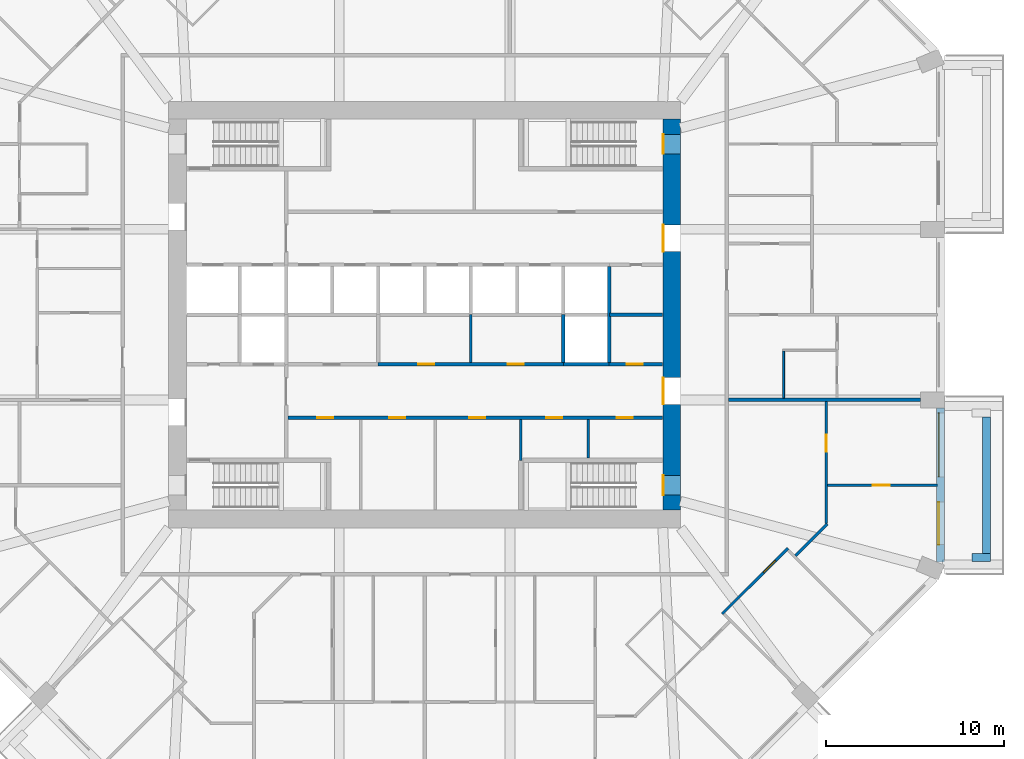
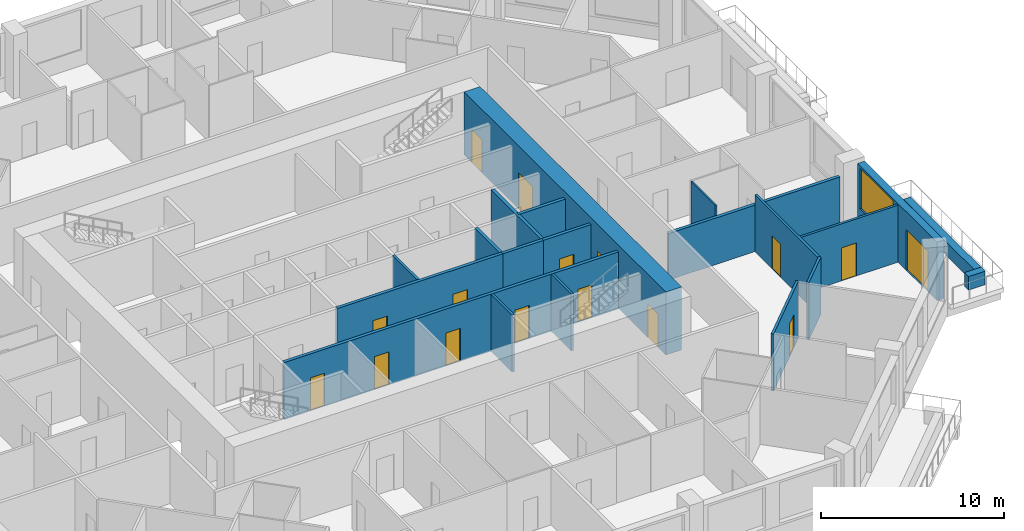
# One storey, part 6 of 13: 20 walls, 16 doors, 1 window, 17 openings.
"""IFC4 building model written with IfcOpenShell, lengths in metres."""

from ifc_helpers import new_model, si_unit, direction, frame, frame_2d, origin, place, context, subcontext, project, spatial, rectangle, extrude, material, layer, layer_set, type_object, element, fill, save


model = new_model("IFC4")

# Units and contexts
model_context = context("Model", 3, precision=1e-05, world=origin(), true_north=direction((0.0, 1.0)))
body_context = subcontext(model_context, "Body", "Model", "MODEL_VIEW")
ifc_project = project(units=[si_unit("LENGTHUNIT", "METRE"), si_unit("AREAUNIT", "SQUARE_METRE"), si_unit("VOLUMEUNIT", "CUBIC_METRE"), si_unit("PLANEANGLEUNIT", "RADIAN"), si_unit("MASSUNIT", "GRAM", prefix="KILO")], contexts=[model_context])

# Site, building, storey
site_placement = place(None, origin())
site = spatial("IfcSite", under=ifc_project, at=site_placement, CompositionType="ELEMENT")
building_placement = place(site_placement, origin())
building = spatial("IfcBuilding", under=site, at=building_placement, Name="Msitu Wima Residences", CompositionType="ELEMENT")
storey_placement = place(building_placement, frame((0.0, 0.0, 96.89990234375)))
storey = spatial("IfcBuildingStorey", under=building, at=storey_placement, Name="L22", CompositionType="ELEMENT", Elevation=96.89990234375)

# Walls
ifc_material_1 = material(Name="Facing brick")
ifc_layer_1 = layer(ifc_material_1, 0.06494140625, Name="Facing brick")
ifc_material_2 = material(Name="Concrete C40/50", Category="concrete")
ifc_layer_2 = layer(ifc_material_2, 0.156005859375, Name="Concrete C40/50")
ifc_material_3 = material(Name="Waterproofing membrane")
ifc_layer_3 = layer(ifc_material_3, 0.00390625, Name="Waterproofing membrane")
ifc_material_4 = material(Name="Planting soil and planting")
ifc_layer_4 = layer(ifc_material_4, 0.22509765625, Name="Planting soil and planting")
ifc_layer_set_1 = layer_set([ifc_layer_1, ifc_layer_2, ifc_layer_3, ifc_layer_4], Name="Concrete C40/50")
wall_type_1 = type_object("IfcWallType", Name="Balcony planter PLANTER PL450", PredefinedType="USERDEFINED", material=ifc_layer_set_1)
wall_1_placement = place(storey_placement, frame((31.625, -13.449951171875, 0.0), z_axis=(0.0, 0.0, 1.0), x_axis=(0.0, 1.0, 0.0)))
element("IfcWall", 1, at=wall_1_placement, inside=storey, type_object=wall_type_1, Name="Balcony planter E0 L22", ObjectType="PLANTER", PredefinedType="USERDEFINED", context=body_context, shape_type="SweptSolid", body=[
    extrude(rectangle(XDim=7.699951171875, YDim=0.449951171875, at=frame_2d((3.85009765625, 0.0))), origin(), (0.0, 0.0, 1.0), 0.900146484375),
])
wall_2_placement = place(storey_placement, frame((30.800048828125, -13.675048828125, 0.0), z_axis=(0.0, 0.0, 1.0), x_axis=(1.0, 0.0, 0.0)))
element("IfcWall", 2, at=wall_2_placement, inside=storey, type_object=wall_type_1, Name="Balcony planter E0 L22", ObjectType="PLANTER", PredefinedType="USERDEFINED", context=body_context, shape_type="SweptSolid", body=[
    extrude(rectangle(XDim=1.050048828125, YDim=0.449951171875, at=frame_2d((0.52490234375, 0.0))), origin(), (0.0, 0.0, 1.0), 0.900146484375),
])

# Wall, openings, door, window
ifc_material_5 = material(Name="Brick (red buff mix)", Category="masonry")
ifc_layer_5 = layer(ifc_material_5, 0.449951171875)
ifc_layer_set_2 = layer_set([ifc_layer_5], Name="Brick (red buff mix)")
wall_type_2 = type_object("IfcWallType", Name="Brick infill wall BW450", PredefinedType="SOLIDWALL", material=ifc_layer_set_2)
wall_3_placement = place(storey_placement, frame((29.02490234375, -13.912841796875, 0.0), z_axis=(0.0, 0.0, 1.0), x_axis=(0.0, 1.0, 0.0)))
wall_3 = element("IfcWall", 3, at=wall_3_placement, inside=storey, type_object=wall_type_2, Name="Brick infill wall L22 E0", PredefinedType="SOLIDWALL", context=body_context, shape_type="SweptSolid", body=[
    extrude(rectangle(XDim=8.662841796875, YDim=0.449951171875, at=frame_2d((4.33154296875, 0.0))), origin(), (0.0, 0.0, 1.0), 3.900146484375),
])
opening_1_placement = place(wall_3_placement, frame((0.9658203125, 0.0, 0.0)))
opening_1 = element("IfcOpeningElement", 4, at=opening_1_placement, cuts=wall_3, Name="Opening D22.001", PredefinedType="OPENING", context=body_context, shape_type="SweptSolid", body=[
    extrude(rectangle(XDim=2.39990234375, YDim=2.699951171875, at=frame_2d((1.199951171875, 1.35009765625))), frame((0.0, 0.23486328125, 0.0), z_axis=(0.0, -1.0, 0.0), x_axis=(1.0, 0.0, 0.0)), (0.0, 0.0, 1.0), 0.469970703125),
])
opening_2_placement = place(wall_3_placement, frame((4.781494140625, 0.0, 1.050048828125)))
opening_2 = element("IfcOpeningElement", 5, at=opening_2_placement, cuts=wall_3, Name="Opening W22.001", PredefinedType="OPENING", context=body_context, shape_type="SweptSolid", body=[
    extrude(rectangle(XDim=3.60009765625, YDim=2.699951171875, at=frame_2d((1.800048828125, 1.35009765625))), frame((0.0, 0.23486328125, 0.0), z_axis=(0.0, -1.0, 0.0), x_axis=(1.0, 0.0, 0.0)), (0.0, 0.0, 1.0), 0.469970703125),
])
ifc_material_6 = material(Name="Anodised aluminium, bronze finish, clear low-emissivity double glazing", Category="aluminium")
door_type_1 = type_object("IfcDoorType", Name="Balcony door D2400x2700", OperationType="SLIDING_TO_LEFT", PredefinedType="DOOR", material=ifc_material_6)
door_1_placement = place(opening_1_placement, origin())
door_1 = element("IfcDoor", 6, at=door_1_placement, inside=storey, type_object=door_type_1, Name="Balcony door L22 E0", OperationType="SINGLE_SWING_LEFT", OverallHeight=2.699951171875, OverallWidth=2.39990234375, PredefinedType="DOOR", context=body_context, shape_type="SweptSolid", body=[
    extrude(rectangle(XDim=2.39990234375, YDim=2.699951171875, at=frame_2d((1.199951171875, 1.35009765625))), frame((0.0, 0.1298828125, 0.0), z_axis=(0.0, -1.0, 0.0), x_axis=(1.0, 0.0, 0.0)), (0.0, 0.0, 1.0), 0.050048828125),
])
fill(opening_1, door_1)
window_type = type_object("IfcWindowType", Name="Window W3600x2700", PartitioningType="DOUBLE_PANEL_VERTICAL", PredefinedType="WINDOW", material=ifc_material_6)
window_placement = place(opening_2_placement, origin())
window = element("IfcWindow", 7, at=window_placement, inside=storey, type_object=window_type, Name="Window L22 E0.2", OverallHeight=2.699951171875, OverallWidth=3.60009765625, PartitioningType="SINGLE_PANEL", PredefinedType="WINDOW", context=body_context, shape_type="SweptSolid", body=[
    extrude(rectangle(XDim=3.60009765625, YDim=2.699951171875, at=frame_2d((1.800048828125, 1.35009765625))), frame((0.0, 0.135009765625, 0.0), z_axis=(0.0, -1.0, 0.0), x_axis=(1.0, 0.0, 0.0)), (0.0, 0.0, 1.0), 0.06005859375),
])
fill(opening_2, window)

# Wall, openings, doors
ifc_material_7 = material(Name="Concrete C80/95", Category="concrete")
ifc_layer_6 = layer(ifc_material_7, 1.0)
ifc_layer_set_3 = layer_set([ifc_layer_6], Name="Concrete C80/95")
wall_type_3 = type_object("IfcWallType", Name="Core wall CW1000 C80/95", PredefinedType="SHEAR", material=ifc_layer_set_3)
wall_4_placement = place(storey_placement, frame((13.89990234375, -11.0, 0.0), z_axis=(0.0, 0.0, 1.0), x_axis=(0.0, 1.0, 0.0)))
wall_4 = element("IfcWall", 8, at=wall_4_placement, inside=storey, type_object=wall_type_3, Name="Core wall", PredefinedType="SHEAR", context=body_context, shape_type="SweptSolid", body=[
    extrude(rectangle(XDim=22.0, YDim=1.0, at=frame_2d((11.0, 0.0))), origin(), (0.0, 0.0, 1.0), 4.2001953125),
])
opening_3_placement = place(wall_4_placement, frame((20.050048828125, 0.0, 0.0)))
opening_3 = element("IfcOpeningElement", 9, at=opening_3_placement, cuts=wall_4, Name="Opening D22.038", PredefinedType="OPENING", context=body_context, shape_type="SweptSolid", body=[
    extrude(rectangle(XDim=1.10009765625, YDim=2.199951171875, at=frame_2d((0.550048828125, 1.10009765625))), frame((0.0, 0.510009765625, 0.0), z_axis=(0.0, -1.0, 0.0), x_axis=(1.0, 0.0, 0.0)), (0.0, 0.0, 1.0), 1.02001953125),
])
opening_4_placement = place(wall_4_placement, frame((0.85009765625, 0.0, 0.0)))
opening_4 = element("IfcOpeningElement", 10, at=opening_4_placement, cuts=wall_4, Name="Opening D22.039", PredefinedType="OPENING", context=body_context, shape_type="SweptSolid", body=[
    extrude(rectangle(XDim=1.10009765625, YDim=2.199951171875, at=frame_2d((0.550048828125, 1.10009765625))), frame((0.0, 0.510009765625, 0.0), z_axis=(0.0, -1.0, 0.0), x_axis=(1.0, 0.0, 0.0)), (0.0, 0.0, 1.0), 1.02001953125),
])
opening_5_placement = place(wall_4_placement, frame((14.550048828125, 0.0, 0.0)))
opening_5 = element("IfcOpeningElement", 11, at=opening_5_placement, cuts=wall_4, Name="Opening D22.027", PredefinedType="OPENING", context=body_context, shape_type="SweptSolid", body=[
    extrude(rectangle(XDim=1.5, YDim=2.39990234375, at=frame_2d((0.75, 1.199951171875))), frame((0.0, 0.510009765625, 0.0), z_axis=(0.0, -1.0, 0.0), x_axis=(1.0, 0.0, 0.0)), (0.0, 0.0, 1.0), 1.02001953125),
])
opening_6_placement = place(wall_4_placement, frame((5.949951171875, 0.0, 0.0)))
opening_6 = element("IfcOpeningElement", 12, at=opening_6_placement, cuts=wall_4, Name="Opening D22.028", PredefinedType="OPENING", context=body_context, shape_type="SweptSolid", body=[
    extrude(rectangle(XDim=1.5, YDim=2.39990234375, at=frame_2d((0.75, 1.199951171875))), frame((0.0, 0.510009765625, 0.0), z_axis=(0.0, -1.0, 0.0), x_axis=(1.0, 0.0, 0.0)), (0.0, 0.0, 1.0), 1.02001953125),
])
ifc_material_8 = material(Name="Steel framed glazed door, fire resisting", Category="steel")
door_type_2 = type_object("IfcDoorType", Name="Lobby door D07 1500x2400", OperationType="DOUBLE_DOOR_SINGLE_SWING", PredefinedType="DOOR", material=ifc_material_8)
door_2_placement = place(opening_5_placement, origin())
door_2 = element("IfcDoor", 13, at=door_2_placement, inside=storey, type_object=door_type_2, Name="Lobby door", OperationType="DOUBLE_DOOR_SINGLE_SWING", OverallHeight=2.39990234375, OverallWidth=1.5, PredefinedType="DOOR", context=body_context, shape_type="SweptSolid", body=[
    extrude(rectangle(XDim=1.5, YDim=2.39990234375, at=frame_2d((0.75, 1.199951171875))), frame((0.0, 0.4951171875, 0.0), z_axis=(0.0, -1.0, 0.0), x_axis=(1.0, 0.0, 0.0)), (0.0, 0.0, 1.0), 0.050048828125),
])
fill(opening_5, door_2)
door_3_placement = place(opening_6_placement, origin())
door_3 = element("IfcDoor", 14, at=door_3_placement, inside=storey, type_object=door_type_2, Name="Lobby door", OperationType="DOUBLE_DOOR_SINGLE_SWING", OverallHeight=2.39990234375, OverallWidth=1.5, PredefinedType="DOOR", context=body_context, shape_type="SweptSolid", body=[
    extrude(rectangle(XDim=1.5, YDim=2.39990234375, at=frame_2d((0.75, 1.199951171875))), frame((0.0, 0.4951171875, 0.0), z_axis=(0.0, -1.0, 0.0), x_axis=(1.0, 0.0, 0.0)), (0.0, 0.0, 1.0), 0.050048828125),
])
fill(opening_6, door_3)
ifc_material_9 = material(Name="Steel door, fire resisting, panic bar", Category="steel")
door_type_3 = type_object("IfcDoorType", Name="Stair door D06 1100x2200", OperationType="SINGLE_SWING_LEFT", PredefinedType="DOOR", material=ifc_material_9)
door_4_placement = place(opening_3_placement, origin())
door_4 = element("IfcDoor", 15, at=door_4_placement, inside=storey, type_object=door_type_3, Name="Stair door", OperationType="SINGLE_SWING_LEFT", OverallHeight=2.199951171875, OverallWidth=1.10009765625, PredefinedType="DOOR", context=body_context, shape_type="SweptSolid", body=[
    extrude(rectangle(XDim=1.10009765625, YDim=2.199951171875, at=frame_2d((0.550048828125, 1.10009765625))), frame((0.0, 0.4951171875, 0.0), z_axis=(0.0, -1.0, 0.0), x_axis=(1.0, 0.0, 0.0)), (0.0, 0.0, 1.0), 0.050048828125),
])
fill(opening_3, door_4)
door_5_placement = place(opening_4_placement, origin())
door_5 = element("IfcDoor", 16, at=door_5_placement, inside=storey, type_object=door_type_3, Name="Stair door", OperationType="SINGLE_SWING_RIGHT", OverallHeight=2.199951171875, OverallWidth=1.10009765625, PredefinedType="DOOR", context=body_context, shape_type="SweptSolid", body=[
    extrude(rectangle(XDim=1.10009765625, YDim=2.199951171875, at=frame_2d((0.550048828125, 1.10009765625))), frame((0.0, 0.4951171875, 0.0), z_axis=(0.0, -1.0, 0.0), x_axis=(1.0, 0.0, 0.0)), (0.0, 0.0, 1.0), 0.050048828125),
])
fill(opening_4, door_5)

ifc_material_10 = material(Name="Plaster")
ifc_layer_7 = layer(ifc_material_10, 0.011962890625, Name="Plaster")
ifc_material_11 = material(Name="Concrete blockwork", Category="masonry")
ifc_layer_8 = layer(ifc_material_11, 0.176025390625, Name="Concrete blockwork")
ifc_layer_9 = layer(ifc_material_10, 0.011962890625, Name="Plaster")
ifc_layer_set_4 = layer_set([ifc_layer_7, ifc_layer_8, ifc_layer_9], Name="Concrete blockwork")
wall_type_4 = type_object("IfcWallType", Name="Corridor wall FW200", PredefinedType="PARTITIONING", material=ifc_layer_set_4)
wall_5_placement = place(storey_placement, frame((-7.699951171875, -5.800048828125, 0.0), z_axis=(0.0, 0.0, 1.0), x_axis=(1.0, 0.0, 0.0)))
wall_5 = element("IfcWall", 17, at=wall_5_placement, inside=storey, type_object=wall_type_4, Name="Corridor wall", PredefinedType="PARTITIONING", context=body_context, shape_type="SweptSolid", body=[
    extrude(rectangle(XDim=21.070068359375, YDim=0.199951171875, at=frame_2d((10.53515625, 0.0))), origin(), (0.0, 0.0, 1.0), 3.798095703125),
])
opening_7_placement = place(wall_5_placement, frame((1.64990234375, 0.0, 0.0)))
opening_7 = element("IfcOpeningElement", 18, at=opening_7_placement, cuts=wall_5, Name="Opening D22.022", PredefinedType="OPENING", context=body_context, shape_type="SweptSolid", body=[
    extrude(rectangle(XDim=0.89990234375, YDim=2.199951171875, at=frame_2d((0.449951171875, 1.10009765625))), frame((0.0, 0.10986328125, 0.0), z_axis=(0.0, -1.0, 0.0), x_axis=(1.0, 0.0, 0.0)), (0.0, 0.0, 1.0), 0.219970703125),
])
opening_8_placement = place(wall_5_placement, frame((5.699951171875, 0.0, 0.0)))
opening_8 = element("IfcOpeningElement", 19, at=opening_8_placement, cuts=wall_5, Name="Opening D22.023", PredefinedType="OPENING", context=body_context, shape_type="SweptSolid", body=[
    extrude(rectangle(XDim=0.89990234375, YDim=2.199951171875, at=frame_2d((0.449951171875, 1.10009765625))), frame((0.0, 0.10986328125, 0.0), z_axis=(0.0, -1.0, 0.0), x_axis=(1.0, 0.0, 0.0)), (0.0, 0.0, 1.0), 0.219970703125),
])
opening_9_placement = place(wall_5_placement, frame((10.199951171875, 0.0, 0.0)))
opening_9 = element("IfcOpeningElement", 20, at=opening_9_placement, cuts=wall_5, Name="Opening D22.024", PredefinedType="OPENING", context=body_context, shape_type="SweptSolid", body=[
    extrude(rectangle(XDim=0.89990234375, YDim=2.199951171875, at=frame_2d((0.449951171875, 1.10009765625))), frame((0.0, 0.10986328125, 0.0), z_axis=(0.0, -1.0, 0.0), x_axis=(1.0, 0.0, 0.0)), (0.0, 0.0, 1.0), 0.219970703125),
])
opening_10_placement = place(wall_5_placement, frame((14.550048828125, 0.0, 0.0)))
opening_10 = element("IfcOpeningElement", 21, at=opening_10_placement, cuts=wall_5, Name="Opening D22.025", PredefinedType="OPENING", context=body_context, shape_type="SweptSolid", body=[
    extrude(rectangle(XDim=0.89990234375, YDim=2.199951171875, at=frame_2d((0.449951171875, 1.10009765625))), frame((0.0, 0.10986328125, 0.0), z_axis=(0.0, -1.0, 0.0), x_axis=(1.0, 0.0, 0.0)), (0.0, 0.0, 1.0), 0.219970703125),
])
opening_11_placement = place(wall_5_placement, frame((18.5, 0.0, 0.0)))
opening_11 = element("IfcOpeningElement", 22, at=opening_11_placement, cuts=wall_5, Name="Opening D22.026", PredefinedType="OPENING", context=body_context, shape_type="SweptSolid", body=[
    extrude(rectangle(XDim=0.89990234375, YDim=2.199951171875, at=frame_2d((0.449951171875, 1.10009765625))), frame((0.0, 0.10986328125, 0.0), z_axis=(0.0, -1.0, 0.0), x_axis=(1.0, 0.0, 0.0)), (0.0, 0.0, 1.0), 0.219970703125),
])
ifc_material_12 = material(Name="Timber flush door", Category="wood")
door_type_4 = type_object("IfcDoorType", Name="Service door D05 900x2200", OperationType="SINGLE_SWING_LEFT", PredefinedType="DOOR", material=ifc_material_12)
door_6_placement = place(opening_7_placement, origin())
door_6 = element("IfcDoor", 23, at=door_6_placement, inside=storey, type_object=door_type_4, Name="Service door", OperationType="SINGLE_SWING_LEFT", OverallHeight=2.199951171875, OverallWidth=0.89990234375, PredefinedType="DOOR", context=body_context, shape_type="SweptSolid", body=[
    extrude(rectangle(XDim=0.89990234375, YDim=2.199951171875, at=frame_2d((0.449951171875, 1.10009765625))), frame((0.0, 0.02490234375, 0.0), z_axis=(0.0, -1.0, 0.0), x_axis=(1.0, 0.0, 0.0)), (0.0, 0.0, 1.0), 0.050048828125),
])
fill(opening_7, door_6)
door_7_placement = place(opening_8_placement, origin())
door_7 = element("IfcDoor", 24, at=door_7_placement, inside=storey, type_object=door_type_4, Name="Service door", OperationType="SINGLE_SWING_RIGHT", OverallHeight=2.199951171875, OverallWidth=0.89990234375, PredefinedType="DOOR", context=body_context, shape_type="SweptSolid", body=[
    extrude(rectangle(XDim=0.89990234375, YDim=2.199951171875, at=frame_2d((0.449951171875, 1.10009765625))), frame((0.0, 0.02490234375, 0.0), z_axis=(0.0, -1.0, 0.0), x_axis=(1.0, 0.0, 0.0)), (0.0, 0.0, 1.0), 0.050048828125),
])
fill(opening_8, door_7)
door_8_placement = place(opening_9_placement, origin())
door_8 = element("IfcDoor", 25, at=door_8_placement, inside=storey, type_object=door_type_4, Name="Service door", OperationType="SINGLE_SWING_RIGHT", OverallHeight=2.199951171875, OverallWidth=0.89990234375, PredefinedType="DOOR", context=body_context, shape_type="SweptSolid", body=[
    extrude(rectangle(XDim=0.89990234375, YDim=2.199951171875, at=frame_2d((0.449951171875, 1.10009765625))), frame((0.0, 0.02490234375, 0.0), z_axis=(0.0, -1.0, 0.0), x_axis=(1.0, 0.0, 0.0)), (0.0, 0.0, 1.0), 0.050048828125),
])
fill(opening_9, door_8)
door_9_placement = place(opening_10_placement, origin())
door_9 = element("IfcDoor", 26, at=door_9_placement, inside=storey, type_object=door_type_4, Name="Service door", OperationType="SINGLE_SWING_LEFT", OverallHeight=2.199951171875, OverallWidth=0.89990234375, PredefinedType="DOOR", context=body_context, shape_type="SweptSolid", body=[
    extrude(rectangle(XDim=0.89990234375, YDim=2.199951171875, at=frame_2d((0.449951171875, 1.10009765625))), frame((0.0, 0.02490234375, 0.0), z_axis=(0.0, -1.0, 0.0), x_axis=(1.0, 0.0, 0.0)), (0.0, 0.0, 1.0), 0.050048828125),
])
fill(opening_10, door_9)
door_10_placement = place(opening_11_placement, origin())
door_10 = element("IfcDoor", 27, at=door_10_placement, inside=storey, type_object=door_type_4, Name="Service door", OperationType="SINGLE_SWING_RIGHT", OverallHeight=2.199951171875, OverallWidth=0.89990234375, PredefinedType="DOOR", context=body_context, shape_type="SweptSolid", body=[
    extrude(rectangle(XDim=0.89990234375, YDim=2.199951171875, at=frame_2d((0.449951171875, 1.10009765625))), frame((0.0, 0.02490234375, 0.0), z_axis=(0.0, -1.0, 0.0), x_axis=(1.0, 0.0, 0.0)), (0.0, 0.0, 1.0), 0.050048828125),
])
fill(opening_11, door_10)

wall_6_placement = place(storey_placement, frame((-2.6201171875, -2.800048828125, 0.0), z_axis=(0.0, 0.0, 1.0), x_axis=(1.0, 0.0, 0.0)))
wall_6 = element("IfcWall", 28, at=wall_6_placement, inside=storey, type_object=wall_type_4, Name="Corridor wall", PredefinedType="PARTITIONING", context=body_context, shape_type="SweptSolid", body=[
    extrude(rectangle(XDim=10.440185546875, YDim=0.199951171875, at=frame_2d((5.22021484375, 0.0))), origin(), (0.0, 0.0, 1.0), 3.798095703125),
])
opening_12_placement = place(wall_6_placement, frame((2.25, 0.0, 0.0)))
opening_12 = element("IfcOpeningElement", 29, at=opening_12_placement, cuts=wall_6, Name="Opening D22.032", PredefinedType="OPENING", context=body_context, shape_type="SweptSolid", body=[
    extrude(rectangle(XDim=0.89990234375, YDim=2.199951171875, at=frame_2d((0.449951171875, 1.10009765625))), frame((0.0, 0.10986328125, 0.0), z_axis=(0.0, -1.0, 0.0), x_axis=(1.0, 0.0, 0.0)), (0.0, 0.0, 1.0), 0.219970703125),
])
opening_13_placement = place(wall_6_placement, frame((7.300048828125, 0.0, 0.0)))
opening_13 = element("IfcOpeningElement", 30, at=opening_13_placement, cuts=wall_6, Name="Opening D22.033", PredefinedType="OPENING", context=body_context, shape_type="SweptSolid", body=[
    extrude(rectangle(XDim=0.89990234375, YDim=2.199951171875, at=frame_2d((0.449951171875, 1.10009765625))), frame((0.0, 0.10986328125, 0.0), z_axis=(0.0, -1.0, 0.0), x_axis=(1.0, 0.0, 0.0)), (0.0, 0.0, 1.0), 0.219970703125),
])
door_11_placement = place(opening_12_placement, origin())
door_11 = element("IfcDoor", 31, at=door_11_placement, inside=storey, type_object=door_type_4, Name="Service door", OperationType="SINGLE_SWING_RIGHT", OverallHeight=2.199951171875, OverallWidth=0.89990234375, PredefinedType="DOOR", context=body_context, shape_type="SweptSolid", body=[
    extrude(rectangle(XDim=0.89990234375, YDim=2.199951171875, at=frame_2d((0.449951171875, 1.10009765625))), frame((0.0, 0.02490234375, 0.0), z_axis=(0.0, -1.0, 0.0), x_axis=(1.0, 0.0, 0.0)), (0.0, 0.0, 1.0), 0.050048828125),
])
fill(opening_12, door_11)
door_12_placement = place(opening_13_placement, origin())
door_12 = element("IfcDoor", 32, at=door_12_placement, inside=storey, type_object=door_type_4, Name="Service door", OperationType="SINGLE_SWING_LEFT", OverallHeight=2.199951171875, OverallWidth=0.89990234375, PredefinedType="DOOR", context=body_context, shape_type="SweptSolid", body=[
    extrude(rectangle(XDim=0.89990234375, YDim=2.199951171875, at=frame_2d((0.449951171875, 1.10009765625))), frame((0.0, 0.02490234375, 0.0), z_axis=(0.0, -1.0, 0.0), x_axis=(1.0, 0.0, 0.0)), (0.0, 0.0, 1.0), 0.050048828125),
])
fill(opening_13, door_12)

# Walls
ifc_layer_10 = layer(ifc_material_10, 0.011962890625, Name="Plaster")
ifc_layer_11 = layer(ifc_material_11, 0.1259765625, Name="Concrete blockwork")
ifc_layer_12 = layer(ifc_material_10, 0.011962890625, Name="Plaster")
ifc_layer_set_5 = layer_set([ifc_layer_10, ifc_layer_11, ifc_layer_12], Name="Concrete blockwork")
wall_type_5 = type_object("IfcWallType", Name="Partition PW150", PredefinedType="PARTITIONING", material=ifc_layer_set_5)
wall_7_placement = place(storey_placement, frame((2.60009765625, -2.699951171875, 0.0), z_axis=(0.0, 0.0, 1.0), x_axis=(0.0, 1.0, 0.0)))
element("IfcWall", 33, at=wall_7_placement, inside=storey, type_object=wall_type_5, Name="Partition", PredefinedType="PARTITIONING", context=body_context, shape_type="SweptSolid", body=[
    extrude(rectangle(XDim=2.699951171875, YDim=0.14990234375, at=frame_2d((1.35009765625, 0.0))), origin(), (0.0, 0.0, 1.0), 3.798095703125),
])
wall_8_placement = place(storey_placement, frame((5.39990234375, -8.199951171875, 0.0), z_axis=(0.0, 0.0, 1.0), x_axis=(0.0, 1.0, 0.0)))
element("IfcWall", 34, at=wall_8_placement, inside=storey, type_object=wall_type_5, Name="Partition", PredefinedType="PARTITIONING", context=body_context, shape_type="SweptSolid", body=[
    extrude(rectangle(XDim=2.300048828125, YDim=0.14990234375, at=frame_2d((1.14990234375, 0.0))), origin(), (0.0, 0.0, 1.0), 3.798095703125),
])
wall_9_placement = place(storey_placement, frame((9.199951171875, -8.074951171875, 0.0), z_axis=(0.0, 0.0, 1.0), x_axis=(0.0, 1.0, 0.0)))
element("IfcWall", 35, at=wall_9_placement, inside=storey, type_object=wall_type_5, Name="Partition", PredefinedType="PARTITIONING", context=body_context, shape_type="SweptSolid", body=[
    extrude(rectangle(XDim=2.175048828125, YDim=0.14990234375, at=frame_2d((1.08740234375, 0.0))), origin(), (0.0, 0.0, 1.0), 3.798095703125),
])

# Wall, opening, door
wall_10_placement = place(storey_placement, frame((16.738525390625, -16.8447265625, 0.0), z_axis=(0.0, 0.0, 1.0), x_axis=(0.707130070773, 0.707083490833, 0.0)))
wall_10 = element("IfcWall", 36, at=wall_10_placement, inside=storey, type_object=wall_type_5, Name="Partition", PredefinedType="PARTITIONING", context=body_context, shape_type="SweptSolid", body=[
    extrude(rectangle(XDim=5.2412109375, YDim=0.14990234375, at=frame_2d((2.62060546875, 0.0))), origin(), (0.0, 0.0, 1.0), 3.798095703125),
])
opening_14_placement = place(wall_10_placement, frame((3.300048828125, 0.0, 0.0)))
opening_14 = element("IfcOpeningElement", 37, at=opening_14_placement, cuts=wall_10, Name="Opening D22.082", PredefinedType="OPENING", context=body_context, shape_type="SweptSolid", body=[
    extrude(rectangle(XDim=0.949951171875, YDim=2.199951171875, at=frame_2d((0.47509765625, 1.10009765625))), frame((0.0, 0.0849609375, 0.0), z_axis=(0.0, -1.0, 0.0), x_axis=(1.0, 0.0, 0.0)), (0.0, 0.0, 1.0), 0.169921875),
])
door_type_5 = type_object("IfcDoorType", Name="Room door D12 950x2200", OperationType="SINGLE_SWING_LEFT", PredefinedType="DOOR", material=ifc_material_12)
door_13_placement = place(opening_14_placement, origin())
door_13 = element("IfcDoor", 38, at=door_13_placement, inside=storey, type_object=door_type_5, Name="Room door", OperationType="SINGLE_SWING_LEFT", OverallHeight=2.199951171875, OverallWidth=0.949951171875, PredefinedType="DOOR", context=body_context, shape_type="SweptSolid", body=[
    extrude(rectangle(XDim=0.949951171875, YDim=2.199951171875, at=frame_2d((0.47509765625, 1.10009765625))), frame((0.0, 0.02490234375, 0.0), z_axis=(0.0, -1.0, 0.0), x_axis=(1.0, 0.0, 0.0)), (0.0, 0.0, 1.0), 0.050048828125),
])
fill(opening_14, door_13)

# Wall
wall_11_placement = place(storey_placement, frame((20.868896484375, -13.56298828125, 0.0), z_axis=(0.0, 0.0, 1.0), x_axis=(0.707106781187, 0.707106781187, 0.0)))
element("IfcWall", 39, at=wall_11_placement, inside=storey, type_object=wall_type_5, Name="Partition", PredefinedType="PARTITIONING", context=body_context, shape_type="SweptSolid", body=[
    extrude(rectangle(XDim=2.523193359375, YDim=0.14990234375, at=frame_2d((1.26171875, 0.0))), origin(), (0.0, 0.0, 1.0), 3.798095703125),
])

# Wall, opening, door
wall_12_placement = place(storey_placement, frame((22.60009765625, -11.7568359375, 0.0), z_axis=(0.0, 0.0, 1.0), x_axis=(0.0, 1.0, 0.0)))
wall_12 = element("IfcWall", 40, at=wall_12_placement, inside=storey, type_object=wall_type_5, Name="Partition", PredefinedType="PARTITIONING", context=body_context, shape_type="SweptSolid", body=[
    extrude(rectangle(XDim=6.85693359375, YDim=0.14990234375, at=frame_2d((3.428466796875, 0.0))), origin(), (0.0, 0.0, 1.0), 3.798095703125),
])
opening_15_placement = place(wall_12_placement, frame((4.050048828125, 0.0, 0.0)))
opening_15 = element("IfcOpeningElement", 41, at=opening_15_placement, cuts=wall_12, Name="Opening D22.079", PredefinedType="OPENING", context=body_context, shape_type="SweptSolid", body=[
    extrude(rectangle(XDim=0.949951171875, YDim=2.199951171875, at=frame_2d((0.47509765625, 1.10009765625))), frame((0.0, 0.0849609375, 0.0), z_axis=(0.0, -1.0, 0.0), x_axis=(1.0, 0.0, 0.0)), (0.0, 0.0, 1.0), 0.169921875),
])
door_14_placement = place(opening_15_placement, origin())
door_14 = element("IfcDoor", 42, at=door_14_placement, inside=storey, type_object=door_type_5, Name="Room door", OperationType="SINGLE_SWING_RIGHT", OverallHeight=2.199951171875, OverallWidth=0.949951171875, PredefinedType="DOOR", context=body_context, shape_type="SweptSolid", body=[
    extrude(rectangle(XDim=0.949951171875, YDim=2.199951171875, at=frame_2d((0.47509765625, 1.10009765625))), frame((0.0, 0.02490234375, 0.0), z_axis=(0.0, -1.0, 0.0), x_axis=(1.0, 0.0, 0.0)), (0.0, 0.0, 1.0), 0.050048828125),
])
fill(opening_15, door_14)

wall_13_placement = place(storey_placement, frame((22.675048828125, -9.60009765625, 0.0), z_axis=(0.0, 0.0, 1.0), x_axis=(1.0, 0.0, 0.0)))
wall_13 = element("IfcWall", 43, at=wall_13_placement, inside=storey, type_object=wall_type_5, Name="Partition", PredefinedType="PARTITIONING", context=body_context, shape_type="SweptSolid", body=[
    extrude(rectangle(XDim=6.179931640625, YDim=0.14990234375, at=frame_2d((3.08984375, 0.0))), origin(), (0.0, 0.0, 1.0), 3.798095703125),
])
opening_16_placement = place(wall_13_placement, frame((2.550048828125, 0.0, 0.0)))
opening_16 = element("IfcOpeningElement", 44, at=opening_16_placement, cuts=wall_13, Name="Opening D22.083", PredefinedType="OPENING", context=body_context, shape_type="SweptSolid", body=[
    extrude(rectangle(XDim=0.949951171875, YDim=2.199951171875, at=frame_2d((0.47509765625, 1.10009765625))), frame((0.0, 0.0849609375, 0.0), z_axis=(0.0, -1.0, 0.0), x_axis=(1.0, 0.0, 0.0)), (0.0, 0.0, 1.0), 0.169921875),
])
door_15_placement = place(opening_16_placement, origin())
door_15 = element("IfcDoor", 45, at=door_15_placement, inside=storey, type_object=door_type_5, Name="Room door", OperationType="SINGLE_SWING_RIGHT", OverallHeight=2.199951171875, OverallWidth=0.949951171875, PredefinedType="DOOR", context=body_context, shape_type="SweptSolid", body=[
    extrude(rectangle(XDim=0.949951171875, YDim=2.199951171875, at=frame_2d((0.47509765625, 1.10009765625))), frame((0.0, 0.02490234375, 0.0), z_axis=(0.0, -1.0, 0.0), x_axis=(1.0, 0.0, 0.0)), (0.0, 0.0, 1.0), 0.050048828125),
])
fill(opening_16, door_15)

# Wall
ifc_layer_13 = layer(ifc_material_10, 0.011962890625, Name="Plaster")
ifc_material_13 = material(Name="Dense concrete blockwork", Category="masonry")
ifc_layer_14 = layer(ifc_material_13, 0.176025390625, Name="Dense concrete blockwork")
ifc_layer_15 = layer(ifc_material_10, 0.011962890625, Name="Plaster")
ifc_layer_set_6 = layer_set([ifc_layer_13, ifc_layer_14, ifc_layer_15], Name="Dense concrete blockwork")
wall_type_6 = type_object("IfcWallType", Name="Party wall PW200", PredefinedType="PARTITIONING", material=ifc_layer_set_6)
wall_14_placement = place(storey_placement, frame((17.10009765625, -4.800048828125, 0.0), z_axis=(0.0, 0.0, 1.0), x_axis=(1.0, 0.0, 0.0)))
element("IfcWall", 46, at=wall_14_placement, inside=storey, type_object=wall_type_6, Name="Party wall", PredefinedType="PARTITIONING", context=body_context, shape_type="SweptSolid", body=[
    extrude(rectangle(XDim=10.7998046875, YDim=0.199951171875, at=frame_2d((5.39990234375, 0.0))), origin(), (0.0, 0.0, 1.0), 3.10009765625),
])

# Wall, opening, door
ifc_layer_16 = layer(ifc_material_10, 0.011962890625, Name="Plaster")
ifc_material_14 = material(Name="Reinforced concrete blockwork", Category="masonry")
ifc_layer_17 = layer(ifc_material_14, 0.176025390625, Name="Reinforced concrete blockwork")
ifc_layer_18 = layer(ifc_material_10, 0.011962890625, Name="Plaster")
ifc_layer_set_7 = layer_set([ifc_layer_16, ifc_layer_17, ifc_layer_18], Name="Reinforced concrete blockwork")
wall_type_7 = type_object("IfcWallType", Name="Plant and riser wall PL200", PredefinedType="PARTITIONING", material=ifc_layer_set_7)
wall_15_placement = place(storey_placement, frame((10.3798828125, -2.800048828125, 0.0), z_axis=(0.0, 0.0, 1.0), x_axis=(1.0, 0.0, 0.0)))
wall_15 = element("IfcWall", 47, at=wall_15_placement, inside=storey, type_object=wall_type_7, Name="Plant and riser wall", PredefinedType="PARTITIONING", context=body_context, shape_type="SweptSolid", body=[
    extrude(rectangle(XDim=2.990234375, YDim=0.199951171875, at=frame_2d((1.4951171875, 0.0))), origin(), (0.0, 0.0, 1.0), 3.798095703125),
])
opening_17_placement = place(wall_15_placement, frame((1.0, 0.0, 0.0)))
opening_17 = element("IfcOpeningElement", 48, at=opening_17_placement, cuts=wall_15, Name="Opening D22.015", PredefinedType="OPENING", context=body_context, shape_type="SweptSolid", body=[
    extrude(rectangle(XDim=0.89990234375, YDim=2.199951171875, at=frame_2d((0.449951171875, 1.10009765625))), frame((0.0, 0.10986328125, 0.0), z_axis=(0.0, -1.0, 0.0), x_axis=(1.0, 0.0, 0.0)), (0.0, 0.0, 1.0), 0.219970703125),
])
door_16_placement = place(opening_17_placement, origin())
door_16 = element("IfcDoor", 49, at=door_16_placement, inside=storey, type_object=door_type_4, Name="Service door", OperationType="SINGLE_SWING_LEFT", OverallHeight=2.199951171875, OverallWidth=0.89990234375, PredefinedType="DOOR", context=body_context, shape_type="SweptSolid", body=[
    extrude(rectangle(XDim=0.89990234375, YDim=2.199951171875, at=frame_2d((0.449951171875, 1.10009765625))), frame((0.0, 0.02490234375, 0.0), z_axis=(0.0, -1.0, 0.0), x_axis=(1.0, 0.0, 0.0)), (0.0, 0.0, 1.0), 0.050048828125),
])
fill(opening_17, door_16)

# Walls
wall_16_placement = place(storey_placement, frame((10.39990234375, 0.0, 0.0), z_axis=(0.0, 0.0, 1.0), x_axis=(1.0, 0.0, 0.0)))
element("IfcWall", 50, at=wall_16_placement, inside=storey, type_object=wall_type_7, Name="Plant and riser wall", PredefinedType="PARTITIONING", context=body_context, shape_type="SweptSolid", body=[
    extrude(rectangle(XDim=2.97021484375, YDim=0.199951171875, at=frame_2d((1.485107421875, 0.0))), origin(), (0.0, 0.0, 1.0), 3.798095703125),
])
ifc_material_15 = material(Name="Fire-rated board")
ifc_layer_19 = layer(ifc_material_15, 0.02490234375, Name="Fire-rated board")
ifc_material_16 = material(Name="Light-gauge stud framing with mineral wool")
ifc_layer_20 = layer(ifc_material_16, 0.14990234375, Name="Light-gauge stud framing with mineral wool")
ifc_layer_21 = layer(ifc_material_15, 0.02490234375, Name="Fire-rated board")
ifc_layer_set_8 = layer_set([ifc_layer_19, ifc_layer_20, ifc_layer_21], Name="Light-gauge stud framing with mineral wool")
wall_type_8 = type_object("IfcWallType", Name="Shaft wall SH200", PredefinedType="PARTITIONING", material=ifc_layer_set_8)
wall_17_placement = place(storey_placement, frame((7.800048828125, -2.699951171875, 0.0), z_axis=(0.0, 0.0, 1.0), x_axis=(0.0, 1.0, 0.0)))
element("IfcWall", 51, at=wall_17_placement, inside=storey, type_object=wall_type_8, Name="Shaft wall", PredefinedType="PARTITIONING", context=body_context, shape_type="SweptSolid", body=[
    extrude(rectangle(XDim=2.699951171875, YDim=0.199951171875, at=frame_2d((1.35009765625, 0.0))), origin(), (0.0, 0.0, 1.0), 3.798095703125),
])
wall_18_placement = place(storey_placement, frame((7.820068359375, -2.800048828125, 0.0), z_axis=(0.0, 0.0, 1.0), x_axis=(1.0, 0.0, 0.0)))
element("IfcWall", 52, at=wall_18_placement, inside=storey, type_object=wall_type_8, Name="Shaft wall", PredefinedType="PARTITIONING", context=body_context, shape_type="SweptSolid", body=[
    extrude(rectangle(XDim=2.559814453125, YDim=0.199951171875, at=frame_2d((1.27978515625, 0.0))), origin(), (0.0, 0.0, 1.0), 3.798095703125),
])
wall_19_placement = place(storey_placement, frame((10.39990234375, -2.699951171875, 0.0), z_axis=(0.0, 0.0, 1.0), x_axis=(0.0, 1.0, 0.0)))
element("IfcWall", 53, at=wall_19_placement, inside=storey, type_object=wall_type_8, Name="Shaft wall", PredefinedType="PARTITIONING", context=body_context, shape_type="SweptSolid", body=[
    extrude(rectangle(XDim=5.39990234375, YDim=0.199951171875, at=frame_2d((2.699951171875, 0.0))), origin(), (0.0, 0.0, 1.0), 3.798095703125),
])
ifc_material_17 = material(Name="Ceramic tiles")
ifc_layer_22 = layer(ifc_material_17, 0.008056640625, Name="Ceramic tiles")
ifc_material_18 = material(Name="Moisture-resistant board")
ifc_layer_23 = layer(ifc_material_18, 0.012451171875, Name="Moisture-resistant board")
ifc_layer_24 = layer(ifc_material_16, 0.06689453125, Name="Light-gauge stud framing with mineral wool")
ifc_layer_25 = layer(ifc_material_18, 0.012451171875, Name="Moisture-resistant board")
ifc_layer_set_9 = layer_set([ifc_layer_22, ifc_layer_23, ifc_layer_24, ifc_layer_25], Name="Light-gauge stud framing with mineral wool")
wall_type_9 = type_object("IfcWallType", Name="Wet wall PW100", PredefinedType="PARTITIONING", material=ifc_layer_set_9)
wall_20_placement = place(storey_placement, frame((20.199951171875, -4.699951171875, 0.0), z_axis=(0.0, 0.0, 1.0), x_axis=(0.0, 1.0, 0.0)))
element("IfcWall", 54, at=wall_20_placement, inside=storey, type_object=wall_type_9, Name="Wet wall", PredefinedType="PARTITIONING", context=body_context, shape_type="SweptSolid", body=[
    extrude(rectangle(XDim=2.64990234375, YDim=0.10009765625, at=frame_2d((1.324951171875, 0.0))), origin(), (0.0, 0.0, 1.0), 3.798095703125),
])

save(model, "model.ifc")
